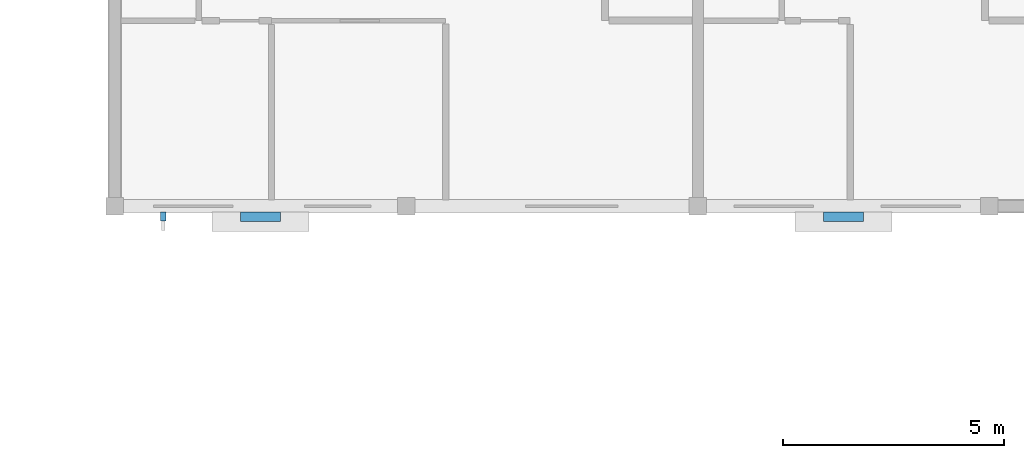
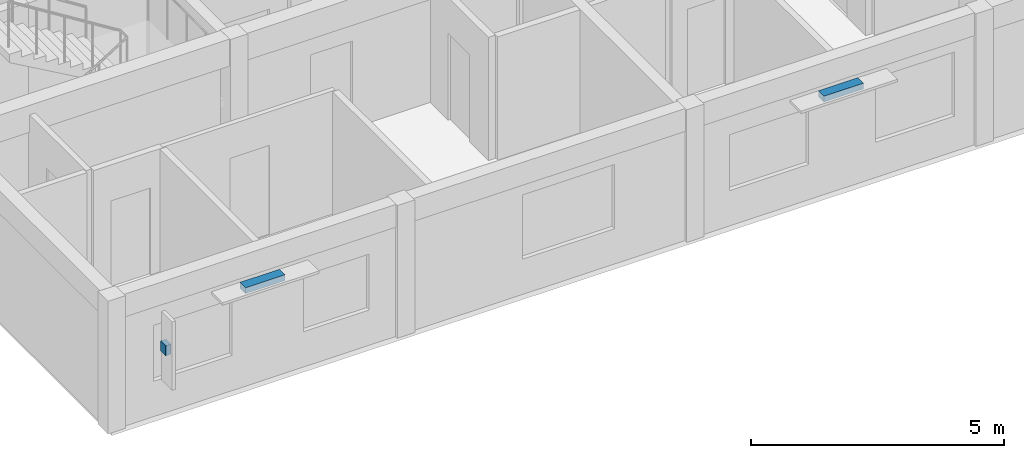
# One storey, part 31 of 37: 3 discrete accessories.
"""IFC4 building model written with IfcOpenShell, lengths in metres."""

from ifc_helpers import new_model, si_unit, direction, frame, origin, origin_2d, place, context, subcontext, project, spatial, rectangle, extrude, material, type_object, element, save


model = new_model("IFC4")

# Units and contexts
model_context = context("Model", 3, precision=1e-05, world=origin(), true_north=direction((0.0, 1.0)))
body_context = subcontext(model_context, "Body", "Model", "MODEL_VIEW")
ifc_project = project(units=[si_unit("LENGTHUNIT", "METRE"), si_unit("AREAUNIT", "SQUARE_METRE"), si_unit("VOLUMEUNIT", "CUBIC_METRE"), si_unit("PLANEANGLEUNIT", "RADIAN"), si_unit("MASSUNIT", "GRAM", prefix="KILO")], contexts=[model_context])

# Site, building, storey
site_placement = place(None, origin())
site = spatial("IfcSite", under=ifc_project, at=site_placement, CompositionType="ELEMENT")
building_placement = place(site_placement, origin())
building = spatial("IfcBuilding", under=site, at=building_placement, Name="Kernevlak Ridge Housing Community", CompositionType="ELEMENT")
storey_placement = place(building_placement, frame((0.0, 0.0, 37.199951171875)))
storey = spatial("IfcBuildingStorey", under=building, at=storey_placement, Name="L11", CompositionType="ELEMENT", Elevation=37.199951171875)

# Discrete accessories
ifc_material = material(Name="Steel S355 galvanised", Category="steel")
discrete_accessory_type = type_object("IfcDiscreteAccessoryType", Name="BK-01", PredefinedType="BRACKET", material=ifc_material)
discrete_accessory_1_placement = place(storey_placement, frame((122.699951171875, 82.360107421875, 2.41015625), z_axis=(0.0, 0.0, 1.0), x_axis=(1.0, 0.0, 0.0)))
element("IfcDiscreteAccessory", 1, at=discrete_accessory_1_placement, inside=storey, type_object=discrete_accessory_type, Name="Sunshade steel bracket 25", PredefinedType="BRACKET", context=body_context, shape_type="SweptSolid", body=[
    extrude(rectangle(XDim=0.89990234375, YDim=0.219970703125, at=origin_2d()), origin(), (0.0, 0.0, 1.0), 0.139892578125),
])
discrete_accessory_2_placement = place(storey_placement, frame((120.5, 82.3701171875, 1.5302734375), z_axis=(0.0, 0.0, 1.0), x_axis=(1.0, 0.0, 0.0)))
element("IfcDiscreteAccessory", 2, at=discrete_accessory_2_placement, inside=storey, type_object=discrete_accessory_type, Name="Vertical fin fixing bracket 25", PredefinedType="BRACKET", context=body_context, shape_type="SweptSolid", body=[
    extrude(rectangle(XDim=0.1201171875, YDim=0.199951171875, at=origin_2d()), origin(), (0.0, 0.0, 1.0), 0.239990234375),
])
discrete_accessory_3_placement = place(storey_placement, frame((135.89990234375, 82.360107421875, 2.41015625), z_axis=(0.0, 0.0, 1.0), x_axis=(1.0, 0.0, 0.0)))
element("IfcDiscreteAccessory", 3, at=discrete_accessory_3_placement, inside=storey, type_object=discrete_accessory_type, Name="Sunshade steel bracket 26", PredefinedType="BRACKET", context=body_context, shape_type="SweptSolid", body=[
    extrude(rectangle(XDim=0.89990234375, YDim=0.219970703125, at=origin_2d()), origin(), (0.0, 0.0, 1.0), 0.139892578125),
])

save(model, "model.ifc")
